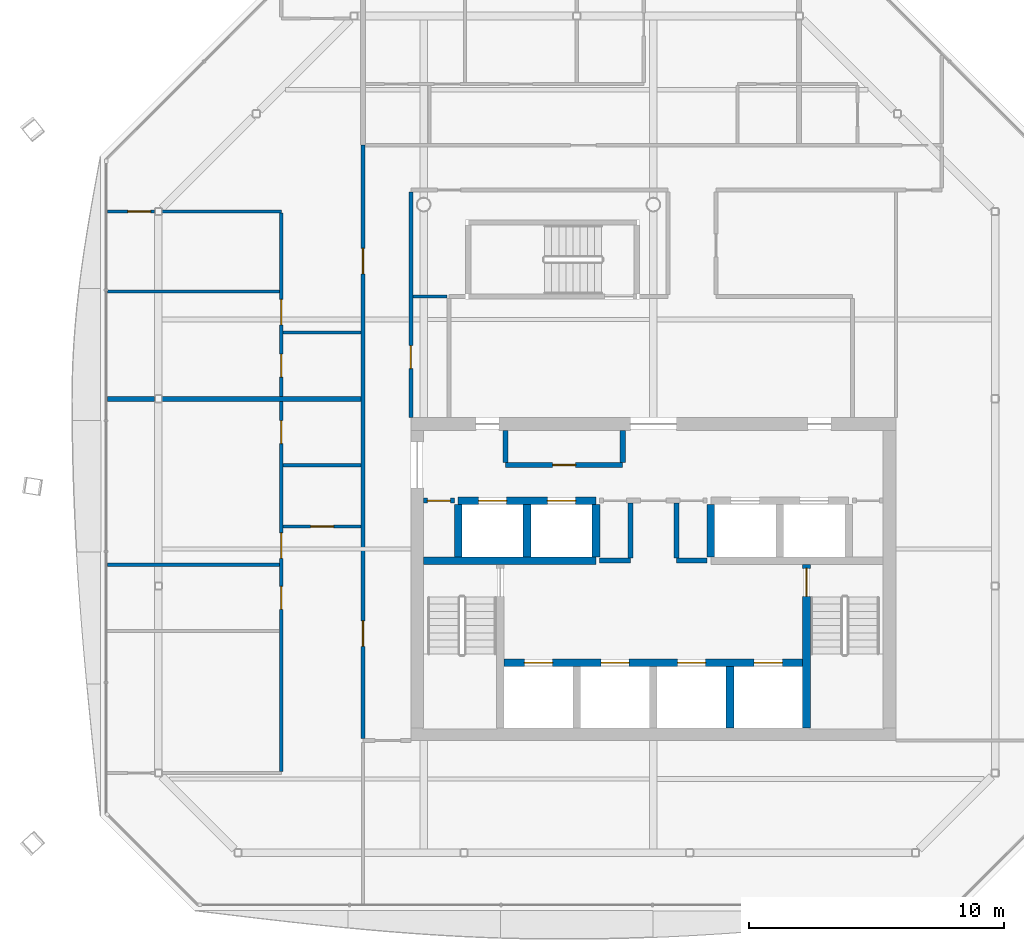
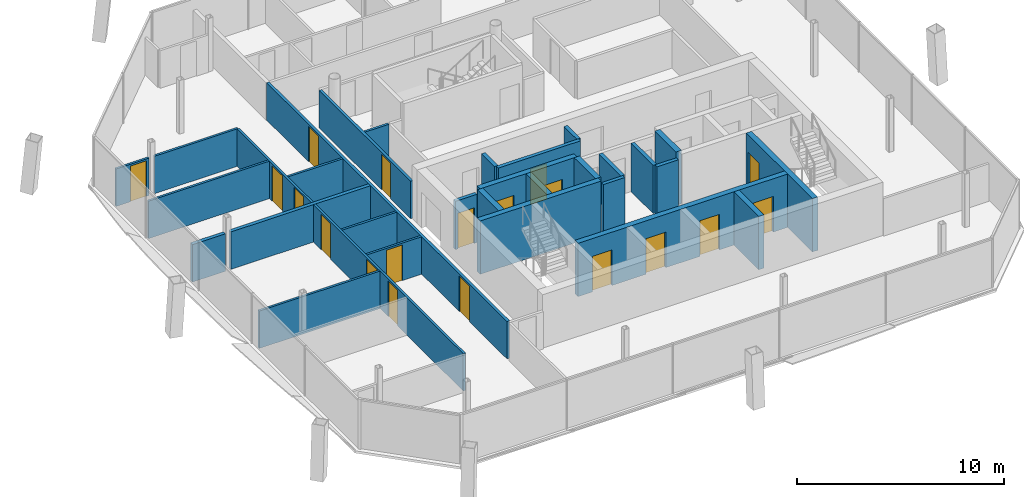
# One storey, part 12 of 17: 30 walls, 19 doors, 19 openings.
"""IFC4 building model written with IfcOpenShell, lengths in metres."""

from ifc_helpers import new_model, si_unit, direction, frame, frame_2d, origin, place, context, subcontext, project, spatial, rectangle, extrude, material, layer, layer_set, type_object, element, fill, save


model = new_model("IFC4")

# Units and contexts
model_context = context("Model", 3, precision=1e-05, world=origin(), true_north=direction((0.0, 1.0)))
body_context = subcontext(model_context, "Body", "Model", "MODEL_VIEW")
ifc_project = project(units=[si_unit("LENGTHUNIT", "METRE"), si_unit("AREAUNIT", "SQUARE_METRE"), si_unit("VOLUMEUNIT", "CUBIC_METRE"), si_unit("PLANEANGLEUNIT", "RADIAN"), si_unit("MASSUNIT", "GRAM", prefix="KILO")], contexts=[model_context])

# Site, building, storey
site_placement = place(None, origin())
site = spatial("IfcSite", under=ifc_project, at=site_placement, CompositionType="ELEMENT")
building_placement = place(site_placement, origin())
building = spatial("IfcBuilding", under=site, at=building_placement, Name="Tskaro Facet Tower", CompositionType="ELEMENT")
storey_placement = place(building_placement, frame((0.0, 0.0, 229.800048828125)))
storey = spatial("IfcBuildingStorey", under=building, at=storey_placement, Name="L59", CompositionType="ELEMENT", Elevation=229.800048828125)

# Wall, openings, doors
ifc_material_1 = material(Name="Concrete C60/75", Category="concrete")
ifc_layer_1 = layer(ifc_material_1, 0.300048828125, Name="Concrete C60/75")
ifc_layer_set_1 = layer_set([ifc_layer_1], Name="Concrete C60/75")
wall_type_1 = type_object("IfcWallType", Name="CORE-SHAFT", PredefinedType="SHEAR", material=ifc_layer_set_1)
wall_1_placement = place(storey_placement, frame((-5.85009765625, -8.949951171875, 0.0), z_axis=(0.0, 0.0, 1.0), x_axis=(1.0, 0.0, 0.0)))
wall_1 = element("IfcWall", 1, at=wall_1_placement, inside=storey, type_object=wall_type_1, Name="Shaft wall W005", PredefinedType="SHEAR", context=body_context, shape_type="SweptSolid", body=[
    extrude(rectangle(XDim=11.7001953125, YDim=0.300048828125, at=frame_2d((5.85009765625, 0.0))), origin(), (0.0, 0.0, 1.0), 3.14990234375),
])
opening_1_placement = place(wall_1_placement, frame((0.800048828125, 0.0, 0.0)))
opening_1 = element("IfcOpeningElement", 2, at=opening_1_placement, cuts=wall_1, Name="Opening LD-FF1", PredefinedType="OPENING", context=body_context, shape_type="SweptSolid", body=[
    extrude(rectangle(XDim=1.10009765625, YDim=2.10009765625, at=frame_2d((0.550048828125, 1.050048828125))), frame((0.0, 0.159912109375, 0.0), z_axis=(0.0, -1.0, 0.0), x_axis=(1.0, 0.0, 0.0)), (0.0, 0.0, 1.0), 0.320068359375),
])
opening_2_placement = place(wall_1_placement, frame((3.800048828125, 0.0, 0.0)))
opening_2 = element("IfcOpeningElement", 3, at=opening_2_placement, cuts=wall_1, Name="Opening LD-FF2", PredefinedType="OPENING", context=body_context, shape_type="SweptSolid", body=[
    extrude(rectangle(XDim=1.10009765625, YDim=2.10009765625, at=frame_2d((0.550048828125, 1.050048828125))), frame((0.0, 0.159912109375, 0.0), z_axis=(0.0, -1.0, 0.0), x_axis=(1.0, 0.0, 0.0)), (0.0, 0.0, 1.0), 0.320068359375),
])
opening_3_placement = place(wall_1_placement, frame((6.800048828125, 0.0, 0.0)))
opening_3 = element("IfcOpeningElement", 4, at=opening_3_placement, cuts=wall_1, Name="Opening LD-SV1", PredefinedType="OPENING", context=body_context, shape_type="SweptSolid", body=[
    extrude(rectangle(XDim=1.10009765625, YDim=2.10009765625, at=frame_2d((0.550048828125, 1.050048828125))), frame((0.0, 0.159912109375, 0.0), z_axis=(0.0, -1.0, 0.0), x_axis=(1.0, 0.0, 0.0)), (0.0, 0.0, 1.0), 0.320068359375),
])
opening_4_placement = place(wall_1_placement, frame((9.800048828125, 0.0, 0.0)))
opening_4 = element("IfcOpeningElement", 5, at=opening_4_placement, cuts=wall_1, Name="Opening LD-SV2", PredefinedType="OPENING", context=body_context, shape_type="SweptSolid", body=[
    extrude(rectangle(XDim=1.10009765625, YDim=2.10009765625, at=frame_2d((0.550048828125, 1.050048828125))), frame((0.0, 0.159912109375, 0.0), z_axis=(0.0, -1.0, 0.0), x_axis=(1.0, 0.0, 0.0)), (0.0, 0.0, 1.0), 0.320068359375),
])
ifc_material_2 = material(Name="Stainless steel", Category="steel")
door_type_1 = type_object("IfcDoorType", Name="D-LANDING", OperationType="NOTDEFINED", PredefinedType="DOOR", material=ifc_material_2)
door_1_placement = place(opening_1_placement, origin())
door_1 = element("IfcDoor", 6, at=door_1_placement, inside=storey, type_object=door_type_1, Name="Landing door FF1", OperationType="DOUBLE_DOOR_SLIDING", OverallHeight=2.10009765625, OverallWidth=1.10009765625, PredefinedType="DOOR", context=body_context, shape_type="SweptSolid", body=[
    extrude(rectangle(XDim=1.10009765625, YDim=2.10009765625, at=frame_2d((0.550048828125, 1.050048828125))), frame((0.0, 0.02490234375, 0.0), z_axis=(0.0, -1.0, 0.0), x_axis=(1.0, 0.0, 0.0)), (0.0, 0.0, 1.0), 0.050048828125),
])
fill(opening_1, door_1)
door_2_placement = place(opening_2_placement, origin())
door_2 = element("IfcDoor", 7, at=door_2_placement, inside=storey, type_object=door_type_1, Name="Landing door FF2", OperationType="DOUBLE_DOOR_SLIDING", OverallHeight=2.10009765625, OverallWidth=1.10009765625, PredefinedType="DOOR", context=body_context, shape_type="SweptSolid", body=[
    extrude(rectangle(XDim=1.10009765625, YDim=2.10009765625, at=frame_2d((0.550048828125, 1.050048828125))), frame((0.0, 0.02490234375, 0.0), z_axis=(0.0, -1.0, 0.0), x_axis=(1.0, 0.0, 0.0)), (0.0, 0.0, 1.0), 0.050048828125),
])
fill(opening_2, door_2)
door_3_placement = place(opening_3_placement, origin())
door_3 = element("IfcDoor", 8, at=door_3_placement, inside=storey, type_object=door_type_1, Name="Landing door SV1", OperationType="DOUBLE_DOOR_SLIDING", OverallHeight=2.10009765625, OverallWidth=1.10009765625, PredefinedType="DOOR", context=body_context, shape_type="SweptSolid", body=[
    extrude(rectangle(XDim=1.10009765625, YDim=2.10009765625, at=frame_2d((0.550048828125, 1.050048828125))), frame((0.0, 0.02490234375, 0.0), z_axis=(0.0, -1.0, 0.0), x_axis=(1.0, 0.0, 0.0)), (0.0, 0.0, 1.0), 0.050048828125),
])
fill(opening_3, door_3)
door_4_placement = place(opening_4_placement, origin())
door_4 = element("IfcDoor", 9, at=door_4_placement, inside=storey, type_object=door_type_1, Name="Landing door SV2", OperationType="DOUBLE_DOOR_SLIDING", OverallHeight=2.10009765625, OverallWidth=1.10009765625, PredefinedType="DOOR", context=body_context, shape_type="SweptSolid", body=[
    extrude(rectangle(XDim=1.10009765625, YDim=2.10009765625, at=frame_2d((0.550048828125, 1.050048828125))), frame((0.0, 0.02490234375, 0.0), z_axis=(0.0, -1.0, 0.0), x_axis=(1.0, 0.0, 0.0)), (0.0, 0.0, 1.0), 0.050048828125),
])
fill(opening_4, door_4)

# Wall
wall_2_placement = place(storey_placement, frame((-9.0, -4.949951171875, 0.0), z_axis=(0.0, 0.0, 1.0), x_axis=(1.0, 0.0, 0.0)))
element("IfcWall", 10, at=wall_2_placement, inside=storey, type_object=wall_type_1, Name="Shaft wall W008", PredefinedType="SHEAR", context=body_context, shape_type="SweptSolid", body=[
    extrude(rectangle(XDim=6.75, YDim=0.300048828125, at=frame_2d((3.375, 0.0))), origin(), (0.0, 0.0, 1.0), 3.14990234375),
])

# Wall, openings, doors
wall_3_placement = place(storey_placement, frame((-7.64990234375, -2.60009765625, 0.0), z_axis=(0.0, 0.0, 1.0), x_axis=(1.0, 0.0, 0.0)))
wall_3 = element("IfcWall", 11, at=wall_3_placement, inside=storey, type_object=wall_type_1, Name="Shaft wall W014", PredefinedType="SHEAR", context=body_context, shape_type="SweptSolid", body=[
    extrude(rectangle(XDim=5.39990234375, YDim=0.300048828125, at=frame_2d((2.699951171875, 0.0))), origin(), (0.0, 0.0, 1.0), 3.14990234375),
])
opening_5_placement = place(wall_3_placement, frame((0.800048828125, 0.0, 0.0)))
opening_5 = element("IfcOpeningElement", 12, at=opening_5_placement, cuts=wall_3, Name="Opening LD-HB1", PredefinedType="OPENING", context=body_context, shape_type="SweptSolid", body=[
    extrude(rectangle(XDim=1.10009765625, YDim=2.10009765625, at=frame_2d((0.550048828125, 1.050048828125))), frame((0.0, 0.159912109375, 0.0), z_axis=(0.0, -1.0, 0.0), x_axis=(1.0, 0.0, 0.0)), (0.0, 0.0, 1.0), 0.320068359375),
])
opening_6_placement = place(wall_3_placement, frame((3.5, 0.0, 0.0)))
opening_6 = element("IfcOpeningElement", 13, at=opening_6_placement, cuts=wall_3, Name="Opening LD-HB2", PredefinedType="OPENING", context=body_context, shape_type="SweptSolid", body=[
    extrude(rectangle(XDim=1.10009765625, YDim=2.10009765625, at=frame_2d((0.550048828125, 1.050048828125))), frame((0.0, 0.159912109375, 0.0), z_axis=(0.0, -1.0, 0.0), x_axis=(1.0, 0.0, 0.0)), (0.0, 0.0, 1.0), 0.320068359375),
])
door_5_placement = place(opening_5_placement, origin())
door_5 = element("IfcDoor", 14, at=door_5_placement, inside=storey, type_object=door_type_1, Name="Landing door HB1", OperationType="DOUBLE_DOOR_SLIDING", OverallHeight=2.10009765625, OverallWidth=1.10009765625, PredefinedType="DOOR", context=body_context, shape_type="SweptSolid", body=[
    extrude(rectangle(XDim=1.10009765625, YDim=2.10009765625, at=frame_2d((0.550048828125, 1.050048828125))), frame((0.0, 0.02490234375, 0.0), z_axis=(0.0, -1.0, 0.0), x_axis=(1.0, 0.0, 0.0)), (0.0, 0.0, 1.0), 0.050048828125),
])
fill(opening_5, door_5)
door_6_placement = place(opening_6_placement, origin())
door_6 = element("IfcDoor", 15, at=door_6_placement, inside=storey, type_object=door_type_1, Name="Landing door HB2", OperationType="DOUBLE_DOOR_SLIDING", OverallHeight=2.10009765625, OverallWidth=1.10009765625, PredefinedType="DOOR", context=body_context, shape_type="SweptSolid", body=[
    extrude(rectangle(XDim=1.10009765625, YDim=2.10009765625, at=frame_2d((0.550048828125, 1.050048828125))), frame((0.0, 0.02490234375, 0.0), z_axis=(0.0, -1.0, 0.0), x_axis=(1.0, 0.0, 0.0)), (0.0, 0.0, 1.0), 0.050048828125),
])
fill(opening_6, door_6)

# Walls
for number, where, z_axis, x_axis, name in (
    (16, (-7.64990234375, -4.800048828125, 0.0), (0.0, 0.0, 1.0), (0.0, 1.0, 0.0), "Shaft wall W046"),
    (17, (-4.949951171875, -4.800048828125, 0.0), (0.0, 0.0, 1.0), (0.0, 1.0, 0.0), "Shaft wall W051"),
    (18, (-2.25, -4.800048828125, 0.0), (0.0, 0.0, 1.0), (0.0, 1.0, 0.0), "Shaft wall W055"),
    (19, (2.25, -4.800048828125, 0.0), (0.0, 0.0, 1.0), (0.0, 1.0, 0.0), "Shaft wall W063"),
):
    element("IfcWall", number, at=place(storey_placement, frame(where, z_axis=z_axis, x_axis=x_axis)), inside=storey, type_object=wall_type_1, Name=name, PredefinedType="SHEAR", context=body_context, shape_type="SweptSolid", body=[
        extrude(rectangle(XDim=2.050048828125, YDim=0.300048828125, at=frame_2d((1.02490234375, 0.0))), origin(), (0.0, 0.0, 1.0), 3.14990234375),
    ])
wall_4_placement = place(storey_placement, frame((3.0, -11.5, 0.0), z_axis=(0.0, 0.0, 1.0), x_axis=(0.0, 1.0, 0.0)))
element("IfcWall", 20, at=wall_4_placement, inside=storey, type_object=wall_type_1, Name="Shaft wall W065", PredefinedType="SHEAR", context=body_context, shape_type="SweptSolid", body=[
    extrude(rectangle(XDim=2.39990234375, YDim=0.300048828125, at=frame_2d((1.199951171875, 0.0))), origin(), (0.0, 0.0, 1.0), 3.14990234375),
])

# Wall, opening, door
wall_5_placement = place(storey_placement, frame((6.0, -5.10009765625, 0.0), z_axis=(0.0, 0.0, 1.0), x_axis=(0.0, -1.0, 0.0)))
wall_5 = element("IfcWall", 21, at=wall_5_placement, inside=storey, type_object=wall_type_1, Name="Shaft wall W070", PredefinedType="SHEAR", context=body_context, shape_type="SweptSolid", body=[
    extrude(rectangle(XDim=6.39990234375, YDim=0.300048828125, at=frame_2d((3.199951171875, 0.0))), origin(), (0.0, 0.0, 1.0), 3.14990234375),
])
opening_7_placement = place(wall_5_placement, frame((0.14990234375, 0.0, 0.0)))
opening_7 = element("IfcOpeningElement", 22, at=opening_7_placement, cuts=wall_5, Name="Opening ST-2-D1", PredefinedType="OPENING", context=body_context, shape_type="SweptSolid", body=[
    extrude(rectangle(XDim=1.10009765625, YDim=2.10009765625, at=frame_2d((0.550048828125, 1.050048828125))), frame((0.0, 0.159912109375, 0.0), z_axis=(0.0, -1.0, 0.0), x_axis=(1.0, 0.0, 0.0)), (0.0, 0.0, 1.0), 0.320068359375),
])
ifc_material_3 = material(Name="Steel", Category="steel")
door_type_2 = type_object("IfcDoorType", Name="D-STAIR", OperationType="NOTDEFINED", PredefinedType="DOOR", material=ifc_material_3)
door_7_placement = place(opening_7_placement, origin())
door_7 = element("IfcDoor", 23, at=door_7_placement, inside=storey, type_object=door_type_2, Name="Stair door 2", OperationType="SINGLE_SWING_RIGHT", OverallHeight=2.10009765625, OverallWidth=1.10009765625, PredefinedType="DOOR", context=body_context, shape_type="SweptSolid", body=[
    extrude(rectangle(XDim=1.10009765625, YDim=2.10009765625, at=frame_2d((0.550048828125, 1.050048828125))), frame((0.0, 0.02490234375, 0.0), z_axis=(0.0, -1.0, 0.0), x_axis=(1.0, 0.0, 0.0)), (0.0, 0.0, 1.0), 0.050048828125),
])
fill(opening_7, door_7)

# Walls
ifc_material_4 = material(Name="Concrete C20/25", Category="concrete")
ifc_layer_2 = layer(ifc_material_4, 0.199951171875, Name="Concrete C20/25")
ifc_layer_set_2 = layer_set([ifc_layer_2], Name="Concrete C20/25")
wall_type_2 = type_object("IfcWallType", Name="CORE-WALL", PredefinedType="SOLIDWALL", material=ifc_layer_set_2)
for number, where, z_axis, x_axis, name in (
    (24, (-2.10009765625, -4.949951171875, 0.0), (0.0, 0.0, 1.0), (1.0, 0.0, 0.0), "Core room wall W009"),
    (25, (0.89990234375, -4.949951171875, 0.0), (0.0, 0.0, 1.0), (1.0, 0.0, 0.0), "Core room wall W010"),
):
    element("IfcWall", number, at=place(storey_placement, frame(where, z_axis=z_axis, x_axis=x_axis)), inside=storey, type_object=wall_type_2, Name=name, PredefinedType="SOLIDWALL", context=body_context, shape_type="SweptSolid", body=[
        extrude(rectangle(XDim=1.2001953125, YDim=0.199951171875, at=frame_2d((0.60009765625, 0.0))), origin(), (0.0, 0.0, 1.0), 2.849853515625),
    ])

# Wall, opening, door
wall_6_placement = place(storey_placement, frame((-7.800048828125, -2.60009765625, 0.0), z_axis=(0.0, 0.0, 1.0), x_axis=(-1.0, 0.0, 0.0)))
wall_6 = element("IfcWall", 26, at=wall_6_placement, inside=storey, type_object=wall_type_2, Name="Core room wall W013", PredefinedType="SOLIDWALL", context=body_context, shape_type="SweptSolid", body=[
    extrude(rectangle(XDim=1.199951171875, YDim=0.199951171875, at=frame_2d((0.60009765625, 0.0))), origin(), (0.0, 0.0, 1.0), 2.849853515625),
])
opening_8_placement = place(wall_6_placement, frame((0.14990234375, 0.0, 0.0)))
opening_8 = element("IfcOpeningElement", 27, at=opening_8_placement, cuts=wall_6, Name="Opening T17-D07", PredefinedType="OPENING", context=body_context, shape_type="SweptSolid", body=[
    extrude(rectangle(XDim=0.89990234375, YDim=2.10009765625, at=frame_2d((0.449951171875, 1.050048828125))), frame((0.0, 0.10986328125, 0.0), z_axis=(0.0, -1.0, 0.0), x_axis=(1.0, 0.0, 0.0)), (0.0, 0.0, 1.0), 0.219970703125),
])
ifc_material_5 = material(Name="Timber", Category="wood")
door_type_3 = type_object("IfcDoorType", Name="D-ROOM", OperationType="NOTDEFINED", PredefinedType="DOOR", material=ifc_material_5)
door_8_placement = place(opening_8_placement, origin())
door_8 = element("IfcDoor", 28, at=door_8_placement, inside=storey, type_object=door_type_3, Name="Door T17-D07", OperationType="SINGLE_SWING_RIGHT", OverallHeight=2.10009765625, OverallWidth=0.89990234375, PredefinedType="DOOR", context=body_context, shape_type="SweptSolid", body=[
    extrude(rectangle(XDim=0.89990234375, YDim=2.10009765625, at=frame_2d((0.449951171875, 1.050048828125))), frame((0.0, 0.02490234375, 0.0), z_axis=(0.0, -1.0, 0.0), x_axis=(1.0, 0.0, 0.0)), (0.0, 0.0, 1.0), 0.050048828125),
])
fill(opening_8, door_8)

wall_7_placement = place(storey_placement, frame((-5.800048828125, -1.199951171875, 0.0), z_axis=(0.0, 0.0, 1.0), x_axis=(1.0, 0.0, 0.0)))
wall_7 = element("IfcWall", 29, at=wall_7_placement, inside=storey, type_object=wall_type_2, Name="Core room wall W019", PredefinedType="SOLIDWALL", context=body_context, shape_type="SweptSolid", body=[
    extrude(rectangle(XDim=4.60009765625, YDim=0.199951171875, at=frame_2d((2.300048828125, 0.0))), origin(), (0.0, 0.0, 1.0), 2.849853515625),
])
opening_9_placement = place(wall_7_placement, frame((1.85009765625, 0.0, 0.0)))
opening_9 = element("IfcOpeningElement", 30, at=opening_9_placement, cuts=wall_7, Name="Opening T17-D12", PredefinedType="OPENING", context=body_context, shape_type="SweptSolid", body=[
    extrude(rectangle(XDim=0.89990234375, YDim=2.10009765625, at=frame_2d((0.449951171875, 1.050048828125))), frame((0.0, 0.10986328125, 0.0), z_axis=(0.0, -1.0, 0.0), x_axis=(1.0, 0.0, 0.0)), (0.0, 0.0, 1.0), 0.219970703125),
])
door_9_placement = place(opening_9_placement, origin())
door_9 = element("IfcDoor", 31, at=door_9_placement, inside=storey, type_object=door_type_3, Name="Door T17-D12", OperationType="SINGLE_SWING_LEFT", OverallHeight=2.10009765625, OverallWidth=0.89990234375, PredefinedType="DOOR", context=body_context, shape_type="SweptSolid", body=[
    extrude(rectangle(XDim=0.89990234375, YDim=2.10009765625, at=frame_2d((0.449951171875, 1.050048828125))), frame((0.0, 0.02490234375, 0.0), z_axis=(0.0, -1.0, 0.0), x_axis=(1.0, 0.0, 0.0)), (0.0, 0.0, 1.0), 0.050048828125),
])
fill(opening_9, door_9)

# Walls
for number, where, z_axis, x_axis, name in (
    (32, (-5.800048828125, -1.10009765625, 0.0), (0.0, 0.0, 1.0), (0.0, 1.0, 0.0), "Core room wall W050"),
    (33, (-1.199951171875, -1.10009765625, 0.0), (0.0, 0.0, 1.0), (0.0, 1.0, 0.0), "Core room wall W056"),
):
    element("IfcWall", number, at=place(storey_placement, frame(where, z_axis=z_axis, x_axis=x_axis)), inside=storey, type_object=wall_type_2, Name=name, PredefinedType="SOLIDWALL", context=body_context, shape_type="SweptSolid", body=[
        extrude(rectangle(XDim=1.25, YDim=0.199951171875, at=frame_2d((0.625, 0.0))), origin(), (0.0, 0.0, 1.0), 2.849853515625),
    ])
for number, where, z_axis, x_axis, name in (
    (34, (-0.89990234375, -4.85009765625, 0.0), (0.0, 0.0, 1.0), (0.0, 1.0, 0.0), "Core room wall W057"),
    (35, (0.89990234375, -4.85009765625, 0.0), (0.0, 0.0, 1.0), (0.0, 1.0, 0.0), "Core room wall W062"),
):
    element("IfcWall", number, at=place(storey_placement, frame(where, z_axis=z_axis, x_axis=x_axis)), inside=storey, type_object=wall_type_2, Name=name, PredefinedType="SOLIDWALL", context=body_context, shape_type="SweptSolid", body=[
        extrude(rectangle(XDim=2.150146484375, YDim=0.199951171875, at=frame_2d((1.0751953125, 0.0))), origin(), (0.0, 0.0, 1.0), 2.849853515625),
    ])
ifc_material_6 = material(Name="Gypsum board on steel studs", Category="steel")
ifc_layer_3 = layer(ifc_material_6, 0.125, Name="Gypsum board on steel studs")
ifc_layer_set_3 = layer_set([ifc_layer_3], Name="Gypsum board on steel studs")
wall_type_3 = type_object("IfcWallType", Name="PART", PredefinedType="PARTITIONING", material=ifc_layer_set_3)
wall_8_placement = place(storey_placement, frame((-21.385009765625, -5.110107421875, 0.0), z_axis=(0.0, 0.0, 1.0), x_axis=(1.0, 0.0, 0.0)))
element("IfcWall", 36, at=wall_8_placement, inside=storey, type_object=wall_type_3, Name="Partition W007", PredefinedType="PARTITIONING", context=body_context, shape_type="SweptSolid", body=[
    extrude(rectangle(XDim=6.74755859375, YDim=0.125, at=frame_2d((3.373779296875, 0.0))), origin(), (0.0, 0.0, 1.0), 2.2099609375),
])

# Wall, opening, door
wall_9_placement = place(storey_placement, frame((-14.512451171875, -3.610107421875, 0.0), z_axis=(0.0, 0.0, 1.0), x_axis=(1.0, 0.0, 0.0)))
wall_9 = element("IfcWall", 37, at=wall_9_placement, inside=storey, type_object=wall_type_3, Name="Partition W012", PredefinedType="PARTITIONING", context=body_context, shape_type="SweptSolid", body=[
    extrude(rectangle(XDim=3.0625, YDim=0.125, at=frame_2d((1.53125, 0.0))), origin(), (0.0, 0.0, 1.0), 2.2099609375),
])
opening_10_placement = place(wall_9_placement, frame((1.08740234375, 0.0, 0.0)))
opening_10 = element("IfcOpeningElement", 38, at=opening_10_placement, cuts=wall_9, Name="Opening T17-D06", PredefinedType="OPENING", context=body_context, shape_type="SweptSolid", body=[
    extrude(rectangle(XDim=0.89990234375, YDim=2.10009765625, at=frame_2d((0.449951171875, 1.050048828125))), frame((0.0, 0.072509765625, 0.0), z_axis=(0.0, -1.0, 0.0), x_axis=(1.0, 0.0, 0.0)), (0.0, 0.0, 1.0), 0.14501953125),
])
door_10_placement = place(opening_10_placement, origin())
door_10 = element("IfcDoor", 39, at=door_10_placement, inside=storey, type_object=door_type_3, Name="Door T17-D06", OperationType="SINGLE_SWING_LEFT", OverallHeight=2.10009765625, OverallWidth=0.89990234375, PredefinedType="DOOR", context=body_context, shape_type="SweptSolid", body=[
    extrude(rectangle(XDim=0.89990234375, YDim=2.10009765625, at=frame_2d((0.449951171875, 1.050048828125))), frame((0.0, 0.02490234375, 0.0), z_axis=(0.0, -1.0, 0.0), x_axis=(1.0, 0.0, 0.0)), (0.0, 0.0, 1.0), 0.050048828125),
])
fill(opening_10, door_10)

# Walls
for number, where, z_axis, x_axis, name in (
    (40, (-14.512451171875, -1.2099609375, 0.0), (0.0, 0.0, 1.0), (1.0, 0.0, 0.0), "Partition W018"),
    (41, (-14.512451171875, 3.989990234375, 0.0), (0.0, 0.0, 1.0), (1.0, 0.0, 0.0), "Partition W022"),
):
    element("IfcWall", number, at=place(storey_placement, frame(where, z_axis=z_axis, x_axis=x_axis)), inside=storey, type_object=wall_type_3, Name=name, PredefinedType="PARTITIONING", context=body_context, shape_type="SweptSolid", body=[
        extrude(rectangle(XDim=3.0625, YDim=0.125, at=frame_2d((1.53125, 0.0))), origin(), (0.0, 0.0, 1.0), 2.2099609375),
    ])
wall_10_placement = place(storey_placement, frame((-9.425048828125, 5.39990234375, 0.0), z_axis=(0.0, 0.0, 1.0), x_axis=(1.0, 0.0, 0.0)))
element("IfcWall", 42, at=wall_10_placement, inside=storey, type_object=wall_type_3, Name="Partition W023", PredefinedType="PARTITIONING", context=body_context, shape_type="SweptSolid", body=[
    extrude(rectangle(XDim=1.35009765625, YDim=0.125, at=frame_2d((0.675048828125, 0.0))), origin(), (0.0, 0.0, 1.0), 2.2099609375),
])
wall_11_placement = place(storey_placement, frame((-21.385009765625, 5.590087890625, 0.0), z_axis=(0.0, 0.0, 1.0), x_axis=(1.0, 0.0, 0.0)))
element("IfcWall", 43, at=wall_11_placement, inside=storey, type_object=wall_type_3, Name="Partition W028", PredefinedType="PARTITIONING", context=body_context, shape_type="SweptSolid", body=[
    extrude(rectangle(XDim=6.74755859375, YDim=0.125, at=frame_2d((3.373779296875, 0.0))), origin(), (0.0, 0.0, 1.0), 2.2099609375),
])

# Wall, opening, door
wall_12_placement = place(storey_placement, frame((-19.541015625, 8.72509765625, 0.0), z_axis=(0.0, 0.0, 1.0), x_axis=(-1.0, 0.0, 0.0)))
wall_12 = element("IfcWall", 44, at=wall_12_placement, inside=storey, type_object=wall_type_3, Name="Partition W030", PredefinedType="PARTITIONING", context=body_context, shape_type="SweptSolid", body=[
    extrude(rectangle(XDim=1.843994140625, YDim=0.125, at=frame_2d((0.921875, 0.0))), origin(), (0.0, 0.0, 1.0), 2.2099609375),
])
opening_11_placement = place(wall_12_placement, frame((0.14990234375, 0.0, 0.0)))
opening_11 = element("IfcOpeningElement", 45, at=opening_11_placement, cuts=wall_12, Name="Opening T17-D22", PredefinedType="OPENING", context=body_context, shape_type="SweptSolid", body=[
    extrude(rectangle(XDim=0.89990234375, YDim=2.10009765625, at=frame_2d((0.449951171875, 1.050048828125))), frame((0.0, 0.072509765625, 0.0), z_axis=(0.0, -1.0, 0.0), x_axis=(1.0, 0.0, 0.0)), (0.0, 0.0, 1.0), 0.14501953125),
])
door_11_placement = place(opening_11_placement, origin())
door_11 = element("IfcDoor", 46, at=door_11_placement, inside=storey, type_object=door_type_3, Name="Door T17-D22", OperationType="SINGLE_SWING_RIGHT", OverallHeight=2.10009765625, OverallWidth=0.89990234375, PredefinedType="DOOR", context=body_context, shape_type="SweptSolid", body=[
    extrude(rectangle(XDim=0.89990234375, YDim=2.10009765625, at=frame_2d((0.449951171875, 1.050048828125))), frame((0.0, 0.02490234375, 0.0), z_axis=(0.0, -1.0, 0.0), x_axis=(1.0, 0.0, 0.0)), (0.0, 0.0, 1.0), 0.050048828125),
])
fill(opening_11, door_11)

# Wall
wall_13_placement = place(storey_placement, frame((-19.240966796875, 8.72509765625, 0.0), z_axis=(0.0, 0.0, 1.0), x_axis=(1.0, 0.0, 0.0)))
element("IfcWall", 47, at=wall_13_placement, inside=storey, type_object=wall_type_3, Name="Partition W031", PredefinedType="PARTITIONING", context=body_context, shape_type="SweptSolid", body=[
    extrude(rectangle(XDim=4.666015625, YDim=0.125, at=frame_2d((2.3330078125, 0.0))), origin(), (0.0, 0.0, 1.0), 2.2099609375),
])

# Wall, openings, doors
wall_14_placement = place(storey_placement, frame((-14.574951171875, -13.20751953125, 0.0), z_axis=(0.0, 0.0, 1.0), x_axis=(0.0, 1.0, 0.0)))
wall_14 = element("IfcWall", 48, at=wall_14_placement, inside=storey, type_object=wall_type_3, Name="Partition W038", PredefinedType="PARTITIONING", context=body_context, shape_type="SweptSolid", body=[
    extrude(rectangle(XDim=21.8701171875, YDim=0.125, at=frame_2d((10.93505859375, 0.0))), origin(), (0.0, 0.0, 1.0), 2.2099609375),
])
opening_12_placement = place(wall_14_placement, frame((6.347412109375, 0.0, 0.0)))
opening_12 = element("IfcOpeningElement", 49, at=opening_12_placement, cuts=wall_14, Name="Opening T17-D04", PredefinedType="OPENING", context=body_context, shape_type="SweptSolid", body=[
    extrude(rectangle(XDim=0.89990234375, YDim=2.10009765625, at=frame_2d((0.449951171875, 1.050048828125))), frame((0.0, 0.072509765625, 0.0), z_axis=(0.0, -1.0, 0.0), x_axis=(1.0, 0.0, 0.0)), (0.0, 0.0, 1.0), 0.14501953125),
])
opening_13_placement = place(wall_14_placement, frame((8.347412109375, 0.0, 0.0)))
opening_13 = element("IfcOpeningElement", 50, at=opening_13_placement, cuts=wall_14, Name="Opening T17-D05", PredefinedType="OPENING", context=body_context, shape_type="SweptSolid", body=[
    extrude(rectangle(XDim=1.0, YDim=2.10009765625, at=frame_2d((0.5, 1.050048828125))), frame((0.0, 0.072509765625, 0.0), z_axis=(0.0, -1.0, 0.0), x_axis=(1.0, 0.0, 0.0)), (0.0, 0.0, 1.0), 0.14501953125),
])
opening_14_placement = place(wall_14_placement, frame((12.847412109375, 0.0, 0.0)))
opening_14 = element("IfcOpeningElement", 51, at=opening_14_placement, cuts=wall_14, Name="Opening T17-D13", PredefinedType="OPENING", context=body_context, shape_type="SweptSolid", body=[
    extrude(rectangle(XDim=0.89990234375, YDim=2.10009765625, at=frame_2d((0.449951171875, 1.050048828125))), frame((0.0, 0.072509765625, 0.0), z_axis=(0.0, -1.0, 0.0), x_axis=(1.0, 0.0, 0.0)), (0.0, 0.0, 1.0), 0.14501953125),
])
opening_15_placement = place(wall_14_placement, frame((17.49755859375, 0.0, 0.0)))
opening_15 = element("IfcOpeningElement", 52, at=opening_15_placement, cuts=wall_14, Name="Opening T17-D19", PredefinedType="OPENING", context=body_context, shape_type="SweptSolid", body=[
    extrude(rectangle(XDim=1.0, YDim=2.10009765625, at=frame_2d((0.5, 1.050048828125))), frame((0.0, 0.072509765625, 0.0), z_axis=(0.0, -1.0, 0.0), x_axis=(1.0, 0.0, 0.0)), (0.0, 0.0, 1.0), 0.14501953125),
])
opening_16_placement = place(wall_14_placement, frame((15.447509765625, 0.0, 0.0)))
opening_16 = element("IfcOpeningElement", 53, at=opening_16_placement, cuts=wall_14, Name="Opening T17-D17", PredefinedType="OPENING", context=body_context, shape_type="SweptSolid", body=[
    extrude(rectangle(XDim=0.89990234375, YDim=2.10009765625, at=frame_2d((0.449951171875, 1.050048828125))), frame((0.0, 0.072509765625, 0.0), z_axis=(0.0, -1.0, 0.0), x_axis=(1.0, 0.0, 0.0)), (0.0, 0.0, 1.0), 0.14501953125),
])
door_12_placement = place(opening_12_placement, origin())
door_12 = element("IfcDoor", 54, at=door_12_placement, inside=storey, type_object=door_type_3, Name="Door T17-D04", OperationType="SINGLE_SWING_LEFT", OverallHeight=2.10009765625, OverallWidth=0.89990234375, PredefinedType="DOOR", context=body_context, shape_type="SweptSolid", body=[
    extrude(rectangle(XDim=0.89990234375, YDim=2.10009765625, at=frame_2d((0.449951171875, 1.050048828125))), frame((0.0, 0.02490234375, 0.0), z_axis=(0.0, -1.0, 0.0), x_axis=(1.0, 0.0, 0.0)), (0.0, 0.0, 1.0), 0.050048828125),
])
fill(opening_12, door_12)
door_13_placement = place(opening_14_placement, origin())
door_13 = element("IfcDoor", 55, at=door_13_placement, inside=storey, type_object=door_type_3, Name="Door T17-D13", OperationType="SINGLE_SWING_LEFT", OverallHeight=2.10009765625, OverallWidth=0.89990234375, PredefinedType="DOOR", context=body_context, shape_type="SweptSolid", body=[
    extrude(rectangle(XDim=0.89990234375, YDim=2.10009765625, at=frame_2d((0.449951171875, 1.050048828125))), frame((0.0, 0.02490234375, 0.0), z_axis=(0.0, -1.0, 0.0), x_axis=(1.0, 0.0, 0.0)), (0.0, 0.0, 1.0), 0.050048828125),
])
fill(opening_14, door_13)
door_14_placement = place(opening_16_placement, origin())
door_14 = element("IfcDoor", 56, at=door_14_placement, inside=storey, type_object=door_type_3, Name="Door T17-D17", OperationType="SINGLE_SWING_LEFT", OverallHeight=2.10009765625, OverallWidth=0.89990234375, PredefinedType="DOOR", context=body_context, shape_type="SweptSolid", body=[
    extrude(rectangle(XDim=0.89990234375, YDim=2.10009765625, at=frame_2d((0.449951171875, 1.050048828125))), frame((0.0, 0.02490234375, 0.0), z_axis=(0.0, -1.0, 0.0), x_axis=(1.0, 0.0, 0.0)), (0.0, 0.0, 1.0), 0.050048828125),
])
fill(opening_16, door_14)
door_type_4 = type_object("IfcDoorType", Name="D-ROOM-WIDE", OperationType="NOTDEFINED", PredefinedType="DOOR", material=ifc_material_5)
door_15_placement = place(opening_13_placement, origin())
door_15 = element("IfcDoor", 57, at=door_15_placement, inside=storey, type_object=door_type_4, Name="Door T17-D05", OperationType="SINGLE_SWING_LEFT", OverallHeight=2.10009765625, OverallWidth=1.0, PredefinedType="DOOR", context=body_context, shape_type="SweptSolid", body=[
    extrude(rectangle(XDim=1.0, YDim=2.10009765625, at=frame_2d((0.5, 1.050048828125))), frame((0.0, 0.02490234375, 0.0), z_axis=(0.0, -1.0, 0.0), x_axis=(1.0, 0.0, 0.0)), (0.0, 0.0, 1.0), 0.050048828125),
])
fill(opening_13, door_15)
door_16_placement = place(opening_15_placement, origin())
door_16 = element("IfcDoor", 58, at=door_16_placement, inside=storey, type_object=door_type_4, Name="Door T17-D19", OperationType="SINGLE_SWING_LEFT", OverallHeight=2.10009765625, OverallWidth=1.0, PredefinedType="DOOR", context=body_context, shape_type="SweptSolid", body=[
    extrude(rectangle(XDim=1.0, YDim=2.10009765625, at=frame_2d((0.5, 1.050048828125))), frame((0.0, 0.02490234375, 0.0), z_axis=(0.0, -1.0, 0.0), x_axis=(1.0, 0.0, 0.0)), (0.0, 0.0, 1.0), 0.050048828125),
])
fill(opening_15, door_16)

ifc_layer_4 = layer(ifc_material_6, 0.14990234375, Name="Gypsum board on steel studs")
ifc_layer_set_4 = layer_set([ifc_layer_4], Name="Gypsum board on steel studs")
wall_type_4 = type_object("IfcWallType", Name="PART-CORR", PredefinedType="PARTITIONING", material=ifc_layer_set_4)
wall_15_placement = place(storey_placement, frame((-11.375, -11.925048828125, 0.0), z_axis=(0.0, 0.0, 1.0), x_axis=(0.0, 1.0, 0.0)))
wall_15 = element("IfcWall", 59, at=wall_15_placement, inside=storey, type_object=wall_type_4, Name="Corridor wall W041", PredefinedType="PARTITIONING", context=body_context, shape_type="SweptSolid", body=[
    extrude(rectangle(XDim=23.25, YDim=0.14990234375, at=frame_2d((11.625, 0.0))), origin(), (0.0, 0.0, 1.0), 2.2099609375),
])
opening_17_placement = place(wall_15_placement, frame((3.6201171875, 0.0, 0.0)))
opening_17 = element("IfcOpeningElement", 60, at=opening_17_placement, cuts=wall_15, Name="Opening T17-D03", PredefinedType="OPENING", context=body_context, shape_type="SweptSolid", body=[
    extrude(rectangle(XDim=1.0, YDim=2.10009765625, at=frame_2d((0.5, 1.050048828125))), frame((0.0, 0.0849609375, 0.0), z_axis=(0.0, -1.0, 0.0), x_axis=(1.0, 0.0, 0.0)), (0.0, 0.0, 1.0), 0.169921875),
])
opening_18_placement = place(wall_15_placement, frame((18.20751953125, 0.0, 0.0)))
opening_18 = element("IfcOpeningElement", 61, at=opening_18_placement, cuts=wall_15, Name="Opening T17-D20", PredefinedType="OPENING", context=body_context, shape_type="SweptSolid", body=[
    extrude(rectangle(XDim=1.0, YDim=2.10009765625, at=frame_2d((0.5, 1.050048828125))), frame((0.0, 0.0849609375, 0.0), z_axis=(0.0, -1.0, 0.0), x_axis=(1.0, 0.0, 0.0)), (0.0, 0.0, 1.0), 0.169921875),
])
door_type_5 = type_object("IfcDoorType", Name="D-FLAT-ENTRY", OperationType="NOTDEFINED", PredefinedType="DOOR", material=ifc_material_5)
door_17_placement = place(opening_17_placement, origin())
door_17 = element("IfcDoor", 62, at=door_17_placement, inside=storey, type_object=door_type_5, Name="Door T17-D03", OperationType="SINGLE_SWING_LEFT", OverallHeight=2.10009765625, OverallWidth=1.0, PredefinedType="DOOR", context=body_context, shape_type="SweptSolid", body=[
    extrude(rectangle(XDim=1.0, YDim=2.10009765625, at=frame_2d((0.5, 1.050048828125))), frame((0.0, 0.02490234375, 0.0), z_axis=(0.0, -1.0, 0.0), x_axis=(1.0, 0.0, 0.0)), (0.0, 0.0, 1.0), 0.050048828125),
])
fill(opening_17, door_17)
door_18_placement = place(opening_18_placement, origin())
door_18 = element("IfcDoor", 63, at=door_18_placement, inside=storey, type_object=door_type_5, Name="Door T17-D20", OperationType="SINGLE_SWING_LEFT", OverallHeight=2.10009765625, OverallWidth=1.0, PredefinedType="DOOR", context=body_context, shape_type="SweptSolid", body=[
    extrude(rectangle(XDim=1.0, YDim=2.10009765625, at=frame_2d((0.5, 1.050048828125))), frame((0.0, 0.02490234375, 0.0), z_axis=(0.0, -1.0, 0.0), x_axis=(1.0, 0.0, 0.0)), (0.0, 0.0, 1.0), 0.050048828125),
])
fill(opening_18, door_18)

# Wall, opening, door
wall_16_placement = place(storey_placement, frame((-9.5, 9.5, 0.0), z_axis=(0.0, 0.0, 1.0), x_axis=(0.0, -1.0, 0.0)))
wall_16 = element("IfcWall", 64, at=wall_16_placement, inside=storey, type_object=wall_type_4, Name="Corridor wall W043", PredefinedType="PARTITIONING", context=body_context, shape_type="SweptSolid", body=[
    extrude(rectangle(XDim=8.85009765625, YDim=0.14990234375, at=frame_2d((4.425048828125, 0.0))), origin(), (0.0, 0.0, 1.0), 2.2099609375),
])
opening_19_placement = place(wall_16_placement, frame((6.02490234375, 0.0, 0.0)))
opening_19 = element("IfcOpeningElement", 65, at=opening_19_placement, cuts=wall_16, Name="Opening T17-D18", PredefinedType="OPENING", context=body_context, shape_type="SweptSolid", body=[
    extrude(rectangle(XDim=0.89990234375, YDim=2.10009765625, at=frame_2d((0.449951171875, 1.050048828125))), frame((0.0, 0.0849609375, 0.0), z_axis=(0.0, -1.0, 0.0), x_axis=(1.0, 0.0, 0.0)), (0.0, 0.0, 1.0), 0.169921875),
])
door_19_placement = place(opening_19_placement, origin())
door_19 = element("IfcDoor", 66, at=door_19_placement, inside=storey, type_object=door_type_3, Name="Door T17-D18", OperationType="SINGLE_SWING_RIGHT", OverallHeight=2.10009765625, OverallWidth=0.89990234375, PredefinedType="DOOR", context=body_context, shape_type="SweptSolid", body=[
    extrude(rectangle(XDim=0.89990234375, YDim=2.10009765625, at=frame_2d((0.449951171875, 1.050048828125))), frame((0.0, 0.02490234375, 0.0), z_axis=(0.0, -1.0, 0.0), x_axis=(1.0, 0.0, 0.0)), (0.0, 0.0, 1.0), 0.050048828125),
])
fill(opening_19, door_19)

# Walls
ifc_layer_5 = layer(ifc_material_6, 0.199951171875, Name="Gypsum board on steel studs")
ifc_layer_set_5 = layer_set([ifc_layer_5], Name="Gypsum board on steel studs")
wall_type_5 = type_object("IfcWallType", Name="PART-DEMISING", PredefinedType="PARTITIONING", material=ifc_layer_set_5)
wall_17_placement = place(storey_placement, frame((-21.385009765625, 1.389892578125, 0.0), z_axis=(0.0, 0.0, 1.0), x_axis=(1.0, 0.0, 0.0)))
element("IfcWall", 67, at=wall_17_placement, inside=storey, type_object=wall_type_5, Name="Guest room wall W020", PredefinedType="PARTITIONING", context=body_context, shape_type="SweptSolid", body=[
    extrude(rectangle(XDim=1.843994140625, YDim=0.199951171875, at=frame_2d((0.921875, 0.0))), origin(), (0.0, 0.0, 1.0), 2.2099609375),
])
wall_18_placement = place(storey_placement, frame((-19.240966796875, 1.389892578125, 0.0), z_axis=(0.0, 0.0, 1.0), x_axis=(1.0, 0.0, 0.0)))
element("IfcWall", 68, at=wall_18_placement, inside=storey, type_object=wall_type_5, Name="Guest room wall W021", PredefinedType="PARTITIONING", context=body_context, shape_type="SweptSolid", body=[
    extrude(rectangle(XDim=7.791015625, YDim=0.199951171875, at=frame_2d((3.8955078125, 0.0))), origin(), (0.0, 0.0, 1.0), 2.2099609375),
])

save(model, "model.ifc")
